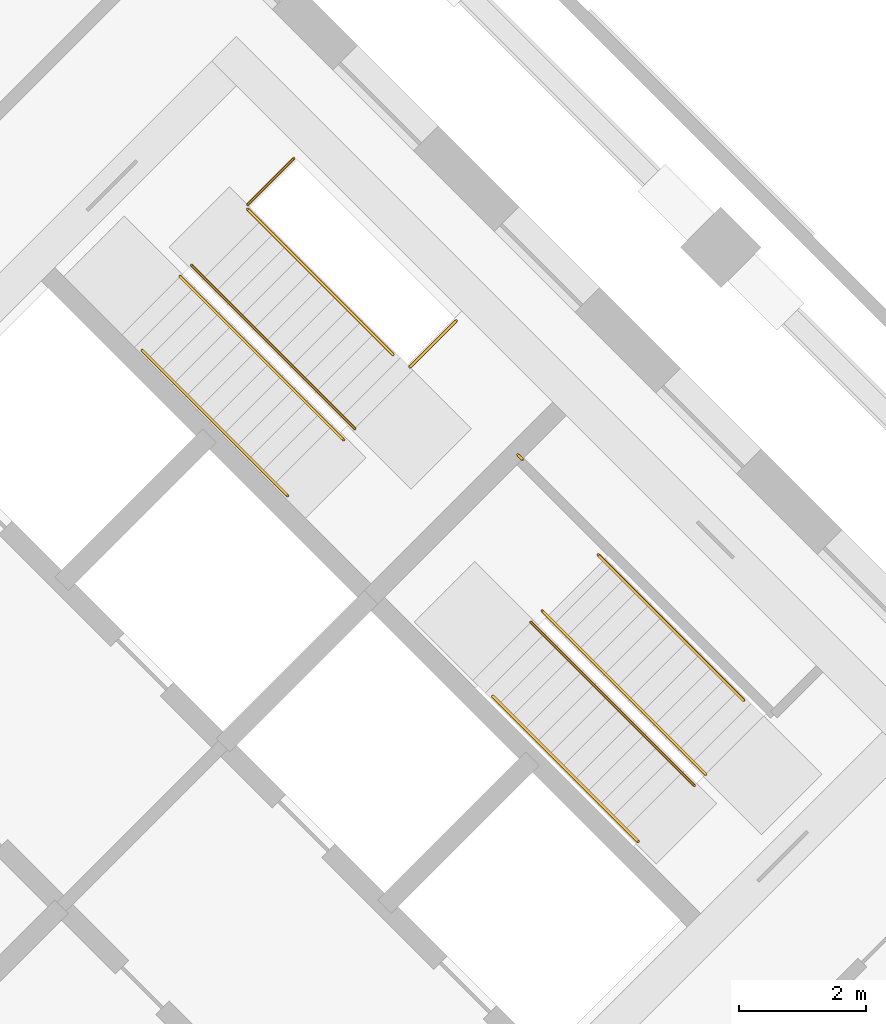
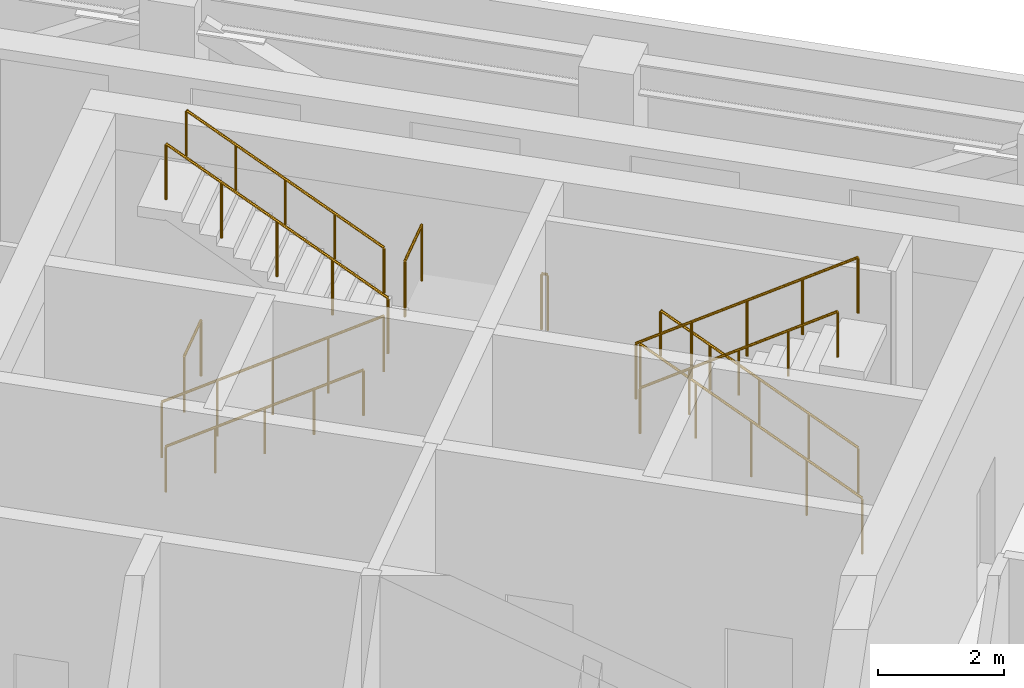
# One storey, part 10 of 10: 11 railings.
"""IFC4 building model written with IfcOpenShell, lengths in metres."""

from ifc_helpers import new_model, si_unit, direction, frame, origin, origin_2d, place, context, subcontext, project, spatial, circle, extrude, material, type_object, element, save


model = new_model("IFC4")

# Units and contexts
model_context = context("Model", 3, precision=1e-05, world=origin(), true_north=direction((0.0, 1.0)))
body_context = subcontext(model_context, "Body", "Model", "MODEL_VIEW")
ifc_project = project(units=[si_unit("LENGTHUNIT", "METRE"), si_unit("AREAUNIT", "SQUARE_METRE"), si_unit("VOLUMEUNIT", "CUBIC_METRE"), si_unit("PLANEANGLEUNIT", "RADIAN"), si_unit("MASSUNIT", "GRAM", prefix="KILO")], contexts=[model_context])

# Site, building, storey
site_placement = place(None, origin())
site = spatial("IfcSite", under=ifc_project, at=site_placement, CompositionType="ELEMENT")
building_placement = place(site_placement, origin())
building = spatial("IfcBuilding", under=site, at=building_placement, Name="Windrow Commons", CompositionType="ELEMENT")
storey_placement = place(building_placement, frame((0.0, 0.0, 180.4)))
storey = spatial("IfcBuildingStorey", under=building, at=storey_placement, Name="L49", CompositionType="ELEMENT", Elevation=180.4)

# Railings
ifc_material_1 = material(Name="Steel S355", Category="steel")
railing_type_1 = type_object("IfcRailingType", Name="Core stair guard 1100", PredefinedType="GUARDRAIL", material=ifc_material_1)
railing_1_placement = place(storey_placement, frame((85.9529, 56.2669, 0.1786)))
element("IfcRailing", 1, at=railing_1_placement, inside=storey, type_object=railing_type_1, Name="L49 ST-B1 stair guard 1", PredefinedType="GUARDRAIL", context=body_context, shape_type="SweptSolid", body=[
    extrude(circle(Radius=0.024, at=origin_2d()), frame((0.0, 0.0, 1.076), z_axis=(0.59617201, -0.5961951731, 0.5377083317), x_axis=(0.7071205174, 0.7070930447, 0.0)), (0.0, 0.0, 1.0), 4.3172),
    extrude(circle(Radius=0.021, at=origin_2d()), origin(), (0.0, 0.0, 1.0), 1.052),
    extrude(circle(Radius=0.021, at=origin_2d()), frame((0.6435, -0.6435, 0.5804)), (0.0, 0.0, 1.0), 1.052),
    extrude(circle(Radius=0.021, at=origin_2d()), frame((1.2869, -1.287, 1.1607)), (0.0, 0.0, 1.0), 1.052),
    extrude(circle(Radius=0.021, at=origin_2d()), frame((1.9304, -1.9304, 1.7411)), (0.0, 0.0, 1.0), 1.052),
    extrude(circle(Radius=0.021, at=origin_2d()), frame((2.5738, -2.5739, 2.3214)), (0.0, 0.0, 1.0), 1.052),
])
railing_2_placement = place(storey_placement, frame((88.7035, 53.8698, 2.6786)))
element("IfcRailing", 2, at=railing_2_placement, inside=storey, type_object=railing_type_1, Name="L49 ST-B1 stair guard 2", PredefinedType="GUARDRAIL", context=body_context, shape_type="SweptSolid", body=[
    extrude(circle(Radius=0.024, at=origin_2d()), frame((0.0, 0.0, 1.076), z_axis=(-0.5961869402, 0.5961869402, 0.5377009064), x_axis=(-0.7071067812, -0.7071067812, 0.0)), (0.0, 0.0, 1.0), 4.3173),
    extrude(circle(Radius=0.021, at=origin_2d()), origin(), (0.0, 0.0, 1.0), 1.052),
    extrude(circle(Radius=0.021, at=origin_2d()), frame((-0.6435, 0.6435, 0.5804)), (0.0, 0.0, 1.0), 1.052),
    extrude(circle(Radius=0.021, at=origin_2d()), frame((-1.287, 1.287, 1.1607)), (0.0, 0.0, 1.0), 1.052),
    extrude(circle(Radius=0.021, at=origin_2d()), frame((-1.9304, 1.9304, 1.7411)), (0.0, 0.0, 1.0), 1.052),
    extrude(circle(Radius=0.021, at=origin_2d()), frame((-2.5739, 2.5739, 2.3214)), (0.0, 0.0, 1.0), 1.052),
])
railing_3_placement = place(storey_placement, frame((87.0135, 57.3982, 0.0)))
element("IfcRailing", 3, at=railing_3_placement, inside=storey, type_object=railing_type_1, Name="L49 ST-B1 stair guard 3", PredefinedType="GUARDRAIL", context=body_context, shape_type="SweptSolid", body=[
    extrude(circle(Radius=0.024, at=origin_2d()), frame((0.0, 0.0, 1.076), z_axis=(0.7070582378, 0.7071553212, 0.0), x_axis=(-0.7071553212, 0.7070582378, 0.0)), (0.0, 0.0, 1.0), 1.03),
    extrude(circle(Radius=0.021, at=origin_2d()), origin(), (0.0, 0.0, 1.0), 1.052),
    extrude(circle(Radius=0.021, at=origin_2d()), frame((0.7283, 0.7284, 0.0)), (0.0, 0.0, 1.0), 1.052),
])
railing_4_placement = place(storey_placement, frame((89.5732, 54.8385, 2.5)))
element("IfcRailing", 4, at=railing_4_placement, inside=storey, type_object=railing_type_1, Name="L49 ST-B1 stair guard 4", PredefinedType="GUARDRAIL", context=body_context, shape_type="SweptSolid", body=[
    extrude(circle(Radius=0.024, at=origin_2d()), frame((0.0, 0.0, 1.076), z_axis=(0.7071067812, 0.7071067812, 0.0), x_axis=(-0.7071067812, 0.7071067812, 0.0)), (0.0, 0.0, 1.0), 1.0301),
    extrude(circle(Radius=0.021, at=origin_2d()), origin(), (0.0, 0.0, 1.0), 1.052),
    extrude(circle(Radius=0.021, at=origin_2d()), frame((0.7284, 0.7284, 0.0)), (0.0, 0.0, 1.0), 1.052),
])
railing_5_placement = place(storey_placement, frame((94.2296, 48.4215, 0.1786)))
element("IfcRailing", 5, at=railing_5_placement, inside=storey, type_object=railing_type_1, Name="L49 ST-B2 stair guard 1", PredefinedType="GUARDRAIL", context=body_context, shape_type="SweptSolid", body=[
    extrude(circle(Radius=0.024, at=origin_2d()), frame((0.0, 0.0, 1.076), z_axis=(-0.5961869402, 0.5961869402, 0.5377009064), x_axis=(-0.7071067812, -0.7071067812, 0.0)), (0.0, 0.0, 1.0), 4.3173),
    extrude(circle(Radius=0.021, at=origin_2d()), origin(), (0.0, 0.0, 1.0), 1.052),
    extrude(circle(Radius=0.021, at=origin_2d()), frame((-0.6435, 0.6435, 0.5804)), (0.0, 0.0, 1.0), 1.052),
    extrude(circle(Radius=0.021, at=origin_2d()), frame((-1.287, 1.2869, 1.1607)), (0.0, 0.0, 1.0), 1.052),
    extrude(circle(Radius=0.021, at=origin_2d()), frame((-1.9304, 1.9304, 1.7411)), (0.0, 0.0, 1.0), 1.052),
    extrude(circle(Radius=0.021, at=origin_2d()), frame((-2.5739, 2.5739, 2.3214)), (0.0, 0.0, 1.0), 1.052),
])
railing_6_placement = place(storey_placement, frame((91.4789, 50.8186, 2.6786)))
element("IfcRailing", 6, at=railing_6_placement, inside=storey, type_object=railing_type_1, Name="L49 ST-B2 stair guard 2", PredefinedType="GUARDRAIL", context=body_context, shape_type="SweptSolid", body=[
    extrude(circle(Radius=0.024, at=origin_2d()), frame((0.0, 0.0, 1.076), z_axis=(0.5961869402, -0.5961869402, 0.5377009064), x_axis=(0.7071067812, 0.7071067812, 0.0)), (0.0, 0.0, 1.0), 4.3173),
    extrude(circle(Radius=0.021, at=origin_2d()), origin(), (0.0, 0.0, 1.0), 1.052),
    extrude(circle(Radius=0.021, at=origin_2d()), frame((0.6435, -0.6435, 0.5804)), (0.0, 0.0, 1.0), 1.052),
    extrude(circle(Radius=0.021, at=origin_2d()), frame((1.287, -1.287, 1.1607)), (0.0, 0.0, 1.0), 1.052),
    extrude(circle(Radius=0.021, at=origin_2d()), frame((1.9304, -1.9304, 1.7411)), (0.0, 0.0, 1.0), 1.052),
    extrude(circle(Radius=0.021, at=origin_2d()), frame((2.5739, -2.5739, 2.3214)), (0.0, 0.0, 1.0), 1.052),
])
railing_7_placement = place(storey_placement, frame((91.3446, 53.3854, 2.5)))
element("IfcRailing", 7, at=railing_7_placement, inside=storey, type_object=railing_type_1, Name="L49 ST-B2 stair guard 3", PredefinedType="GUARDRAIL", context=body_context, shape_type="SweptSolid", body=[
    extrude(circle(Radius=0.024, at=origin_2d()), frame((0.0, 0.0, 1.076), z_axis=(-0.7076063266, 0.7066068826, 0.0), x_axis=(-0.7066068826, -0.7076063266, 0.0)), (0.0, 0.0, 1.0), 0.1001),
    extrude(circle(Radius=0.021, at=origin_2d()), origin(), (0.0, 0.0, 1.0), 1.052),
    extrude(circle(Radius=0.021, at=origin_2d()), frame((-0.0708, 0.0707, 0.0)), (0.0, 0.0, 1.0), 1.052),
])
ifc_material_2 = material(Name="Steel S355", Category="steel")
railing_type_2 = type_object("IfcRailingType", Name="Core stair handrail 900", PredefinedType="HANDRAIL", material=ifc_material_2)
railing_8_placement = place(storey_placement, frame((85.3518, 55.1001, 0.4337)))
element("IfcRailing", 8, at=railing_8_placement, inside=storey, type_object=railing_type_2, Name="L49 ST-B1 stair handrail 1", PredefinedType="HANDRAIL", context=body_context, shape_type="SweptSolid", body=[
    extrude(circle(Radius=0.024, at=origin_2d()), frame((0.0, 0.0, 0.876), z_axis=(0.5961997536, -0.5961737312, 0.5377013447), x_axis=(0.7070913491, 0.707122213, 0.0)), (0.0, 0.0, 1.0), 3.8428),
    extrude(circle(Radius=0.021, at=origin_2d()), origin(), (0.0, 0.0, 1.0), 0.852),
    extrude(circle(Radius=0.021, at=origin_2d()), frame((0.5728, -0.5727, 0.5166)), (0.0, 0.0, 1.0), 0.852),
    extrude(circle(Radius=0.021, at=origin_2d()), frame((1.1456, -1.1455, 1.0332)), (0.0, 0.0, 1.0), 0.852),
    extrude(circle(Radius=0.021, at=origin_2d()), frame((1.7183, -1.7182, 1.5497)), (0.0, 0.0, 1.0), 0.852),
    extrude(circle(Radius=0.021, at=origin_2d()), frame((2.2911, -2.291, 2.0663)), (0.0, 0.0, 1.0), 0.852),
])
railing_9_placement = place(storey_placement, frame((89.3046, 55.0365, 2.9337)))
element("IfcRailing", 9, at=railing_9_placement, inside=storey, type_object=railing_type_2, Name="L49 ST-B1 stair handrail 2", PredefinedType="HANDRAIL", context=body_context, shape_type="SweptSolid", body=[
    extrude(circle(Radius=0.024, at=origin_2d()), frame((0.0, 0.0, 0.876), z_axis=(-0.5961997536, 0.5961737312, 0.5377013447), x_axis=(-0.7070913491, -0.707122213, 0.0)), (0.0, 0.0, 1.0), 3.8428),
    extrude(circle(Radius=0.021, at=origin_2d()), origin(), (0.0, 0.0, 1.0), 0.852),
    extrude(circle(Radius=0.021, at=origin_2d()), frame((-0.5728, 0.5728, 0.5166)), (0.0, 0.0, 1.0), 0.852),
    extrude(circle(Radius=0.021, at=origin_2d()), frame((-1.1456, 1.1455, 1.0332)), (0.0, 0.0, 1.0), 0.852),
    extrude(circle(Radius=0.021, at=origin_2d()), frame((-1.7183, 1.7183, 1.5497)), (0.0, 0.0, 1.0), 0.852),
    extrude(circle(Radius=0.021, at=origin_2d()), frame((-2.2911, 2.291, 2.0663)), (0.0, 0.0, 1.0), 0.852),
])
railing_10_placement = place(storey_placement, frame((94.8306, 49.5883, 0.4337)))
element("IfcRailing", 10, at=railing_10_placement, inside=storey, type_object=railing_type_2, Name="L49 ST-B2 stair handrail 1", PredefinedType="HANDRAIL", context=body_context, shape_type="SweptSolid", body=[
    extrude(circle(Radius=0.024, at=origin_2d()), frame((0.0, 0.0, 0.876), z_axis=(-0.5961829806, 0.5961829806, 0.5377096869), x_axis=(-0.7071067812, -0.7071067812, 0.0)), (0.0, 0.0, 1.0), 3.8428),
    extrude(circle(Radius=0.021, at=origin_2d()), origin(), (0.0, 0.0, 1.0), 0.852),
    extrude(circle(Radius=0.021, at=origin_2d()), frame((-0.5728, 0.5728, 0.5166)), (0.0, 0.0, 1.0), 0.852),
    extrude(circle(Radius=0.021, at=origin_2d()), frame((-1.1455, 1.1455, 1.0332)), (0.0, 0.0, 1.0), 0.852),
    extrude(circle(Radius=0.021, at=origin_2d()), frame((-1.7183, 1.7183, 1.5497)), (0.0, 0.0, 1.0), 0.852),
    extrude(circle(Radius=0.021, at=origin_2d()), frame((-2.291, 2.291, 2.0663)), (0.0, 0.0, 1.0), 0.852),
])
railing_11_placement = place(storey_placement, frame((90.8779, 49.6519, 2.9337)))
element("IfcRailing", 11, at=railing_11_placement, inside=storey, type_object=railing_type_2, Name="L49 ST-B2 stair handrail 2", PredefinedType="HANDRAIL", context=body_context, shape_type="SweptSolid", body=[
    extrude(circle(Radius=0.024, at=origin_2d()), frame((0.0, 0.0, 0.876), z_axis=(0.5961829806, -0.5961829806, 0.5377096869), x_axis=(0.7071067812, 0.7071067812, 0.0)), (0.0, 0.0, 1.0), 3.8428),
    extrude(circle(Radius=0.021, at=origin_2d()), origin(), (0.0, 0.0, 1.0), 0.852),
    extrude(circle(Radius=0.021, at=origin_2d()), frame((0.5727, -0.5727, 0.5166)), (0.0, 0.0, 1.0), 0.852),
    extrude(circle(Radius=0.021, at=origin_2d()), frame((1.1455, -1.1455, 1.0332)), (0.0, 0.0, 1.0), 0.852),
    extrude(circle(Radius=0.021, at=origin_2d()), frame((1.7182, -1.7182, 1.5497)), (0.0, 0.0, 1.0), 0.852),
    extrude(circle(Radius=0.021, at=origin_2d()), frame((2.291, -2.291, 2.0663)), (0.0, 0.0, 1.0), 0.852),
])

save(model, "model.ifc")
